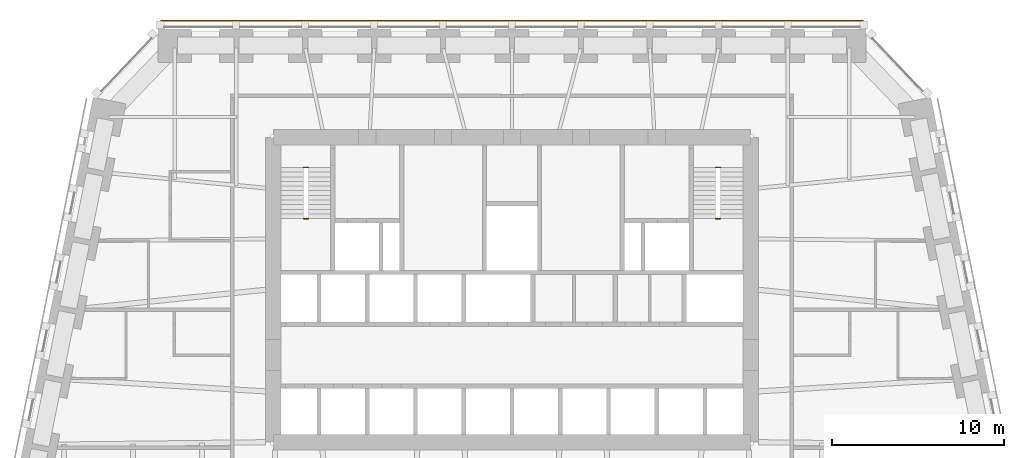
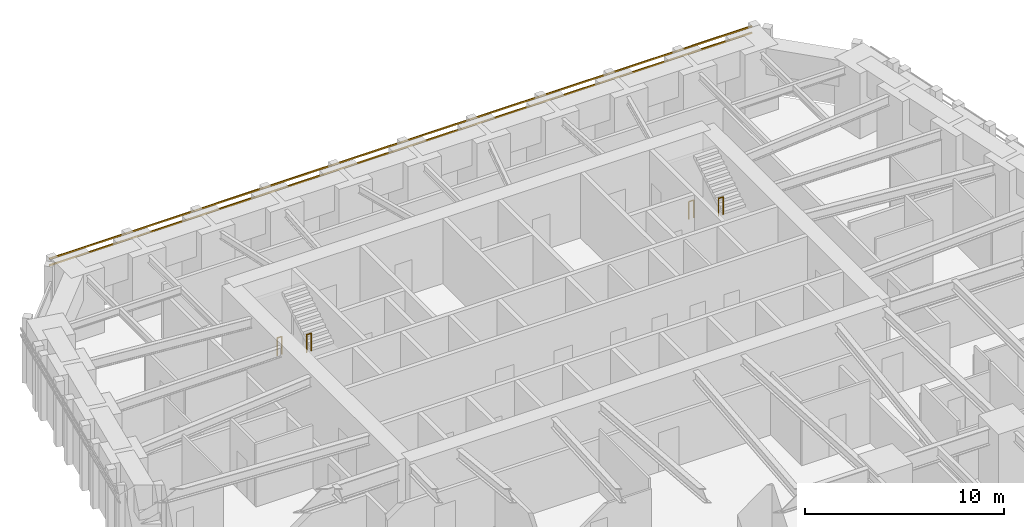
# One storey, part 16 of 16: 4 railings, 2 shading devices.
"""IFC4 building model written with IfcOpenShell, lengths in metres."""

import ifcopenshell
import ifcopenshell.guid

model = None  # the IFC model being written
_history = None  # IfcOwnerHistory: only IFC2X3 demands one
_inside = {}  # id of a spatial element -> (the spatial element, [elements in it])
_under = {}  # id of a project, library or spatial element -> (it, [spatial elements below it])
_declared = {}  # id of a project -> (the project, [libraries it declares])
_typed = {}  # id of a type object -> (the type object, [elements of that type])
_made_of = {}  # id of a material, layer set ... -> (it, [elements and type objects made of it])


def new_model(schema):
    """Start an empty IFC model of exactly this schema.

    Asked for "IFC4X3", IfcOpenShell would pick the latest addendum, in which some entities
    have other attributes; the version numbers below select the first issue.
    IFC2X3 requires an IfcOwnerHistory on every rooted entity: one is made here for all.
    """
    global model, _history
    if schema == "IFC4X3":
        model = ifcopenshell.file(schema_version=(4, 3, 0, 0))
    else:
        model = ifcopenshell.file(schema=schema)
    _inside.clear()
    _under.clear()
    _declared.clear()
    _typed.clear()
    _made_of.clear()
    _history = None
    if model.schema == "IFC2X3":
        org = make("IfcOrganization", Name="unknown")
        user = make(
            "IfcPersonAndOrganization",
            ThePerson=make("IfcPerson", FamilyName="unknown"),
            TheOrganization=org,
        )
        app = make(
            "IfcApplication",
            ApplicationDeveloper=org,
            Version="unknown",
            ApplicationFullName="unknown",
            ApplicationIdentifier="unknown",
        )
        _history = make(
            "IfcOwnerHistory",
            OwningUser=user,
            OwningApplication=app,
            ChangeAction="ADDED",
            CreationDate=0,
        )
    return model


def make(cls, **values):
    """One entity of the class cls with the attributes given. An attribute that is None is left unset."""
    return model.create_entity(
        cls, **{name: value for name, value in values.items() if value is not None}
    )


def rooted(cls, **values):
    """An entity with a GlobalId (a new one), such as an element, a storey or a relation."""
    return make(cls, GlobalId=ifcopenshell.guid.new(), OwnerHistory=_history, **values)


def si_unit(unit_type, name, prefix=None):
    """IfcSIUnit, for example si_unit("LENGTHUNIT", "METRE", prefix="MILLI")."""
    return make("IfcSIUnit", UnitType=unit_type, Prefix=prefix, Name=name)


def assignment(units):
    """IfcUnitAssignment: the units of a project."""
    return None if units is None else make("IfcUnitAssignment", Units=units)


def point(xyz):
    """IfcCartesianPoint."""
    return None if xyz is None else make("IfcCartesianPoint", Coordinates=xyz)


def direction(xyz):
    """IfcDirection."""
    return None if xyz is None else make("IfcDirection", DirectionRatios=xyz)


def frame(location, z_axis=None, x_axis=None):
    """IfcAxis2Placement3D, a coordinate frame: its origin and axes. An axis left out is left unset."""
    return make(
        "IfcAxis2Placement3D",
        Location=point(location),
        Axis=direction(z_axis),
        RefDirection=direction(x_axis),
    )


def frame_2d(location, x_axis=None):
    """IfcAxis2Placement2D, a coordinate frame in the plane: its origin and x axis."""
    return make(
        "IfcAxis2Placement2D", Location=point(location), RefDirection=direction(x_axis)
    )


def origin():
    """The frame at (0, 0, 0) with its axes left unset."""
    return frame((0.0, 0.0, 0.0))


def origin_2d():
    """The frame at (0, 0) in the plane with its x axis left unset."""
    return frame_2d((0.0, 0.0))


def place(relative_to, where):
    """IfcLocalPlacement: puts the frame where relative to a parent placement (None: the world)."""
    return make(
        "IfcLocalPlacement", PlacementRelTo=relative_to, RelativePlacement=where
    )


def context(
    kind, dimensions, precision=None, world=None, true_north=None, identifier=None
):
    """IfcGeometricRepresentationContext, for example the 3D "Model" context."""
    return make(
        "IfcGeometricRepresentationContext",
        ContextIdentifier=identifier,
        ContextType=kind,
        CoordinateSpaceDimension=dimensions,
        Precision=precision,
        WorldCoordinateSystem=world,
        TrueNorth=true_north,
    )


def subcontext(parent, identifier, kind, view, scale=None):
    """IfcGeometricRepresentationSubContext, for example "Body" below "Model"."""
    return make(
        "IfcGeometricRepresentationSubContext",
        ContextIdentifier=identifier,
        ContextType=kind,
        ParentContext=parent,
        TargetScale=scale,
        TargetView=view,
    )


def project(units=None, contexts=None):
    """IfcProject with its units and contexts."""
    return rooted(
        "IfcProject",
        Name="project",
        RepresentationContexts=contexts,
        UnitsInContext=assignment(units),
    )


def spatial(cls, under=None, at=None, **own):
    """A site, building, storey or space (cls), placed at a placement, below another one or the project."""
    s = rooted(cls, ObjectPlacement=at, **own)
    if under is not None:
        _under.setdefault(under.id(), (under, []))[1].append(s)
    return s


def profile(cls, at=None, kind="AREA", **sizes):
    """A parametric profile (cls). Its sizes go by their IFC names, for example OverallWidth=200.0."""
    return make(cls, ProfileType=kind, Position=at, **sizes)


def rectangle(**sizes):
    """IfcRectangleProfileDef."""
    return profile("IfcRectangleProfileDef", **sizes)


def circle(**sizes):
    """IfcCircleProfileDef."""
    return profile("IfcCircleProfileDef", **sizes)


def extrude(swept, where, along, depth):
    """IfcExtrudedAreaSolid: the profile swept, set in the frame where, extruded along a direction by depth."""
    return make(
        "IfcExtrudedAreaSolid",
        SweptArea=swept,
        Position=where,
        ExtrudedDirection=direction(along),
        Depth=depth,
    )


def shape(context_of_items, identifier, shape_type, items):
    """IfcShapeRepresentation: the items that make up one representation, for example the "Body"."""
    return make(
        "IfcShapeRepresentation",
        ContextOfItems=context_of_items,
        RepresentationIdentifier=identifier,
        RepresentationType=shape_type,
        Items=items,
    )


def material(Name=None, Category=None):
    """IfcMaterial."""
    return make("IfcMaterial", Name=Name, Category=Category)


def material_profile(
    of_material, cross_section, Name=None, Category=None, Priority=None
):
    """IfcMaterialProfile: a cross section and its material."""
    return make(
        "IfcMaterialProfile",
        Name=Name,
        Material=of_material,
        Profile=cross_section,
        Priority=Priority,
        Category=Category,
    )


def profile_set(profiles, Name=None, composite=None):
    """IfcMaterialProfileSet."""
    return make(
        "IfcMaterialProfileSet",
        Name=Name,
        MaterialProfiles=profiles,
        CompositeProfile=composite,
    )


def made_of(thing, what):
    """Note that an element or type object is made of a material, layer set ...; save() writes the relation."""
    if what is not None:
        _made_of.setdefault(what.id(), (what, []))[1].append(thing)
    return thing


def type_object(cls, material=None, **own):
    """A type object (cls), such as IfcWallType, which elements share."""
    return made_of(rooted(cls, **own), material)


def element(
    cls,
    number,
    at=None,
    inside=None,
    cuts=None,
    type_object=None,
    material=None,
    context=None,
    identifier="Body",
    shape_type=None,
    held_by="IfcProductDefinitionShape",
    body=None,
    shapes=None,
    **own,
):
    """One element of the class cls, such as IfcWall. Its Tag is "e" and its number.

    at: its placement. inside: the storey or other place that contains it. cuts: it is an
    opening in that element (IfcRelVoidsElement). A single representation is given by context,
    identifier, shape_type and body (its items); several are given by shapes. held_by: the class
    of the entity that holds the representations. save() writes the other relations.
    """
    e = rooted(cls, Tag="e%d" % number, ObjectPlacement=at, **own)
    if body is not None:
        shapes = [shape(context, identifier, shape_type, body)]
    if shapes is not None:
        e.Representation = make(held_by, Representations=shapes)
    if inside is not None:
        _inside.setdefault(inside.id(), (inside, []))[1].append(e)
    if cuts is not None:
        rooted(
            "IfcRelVoidsElement", RelatingBuildingElement=cuts, RelatedOpeningElement=e
        )
    if type_object is not None:
        _typed.setdefault(type_object.id(), (type_object, []))[1].append(e)
    return made_of(e, material)


def aggregate(whole, parts):
    """IfcRelAggregates: a whole, such as a stair, and the parts it consists of."""
    return rooted("IfcRelAggregates", RelatingObject=whole, RelatedObjects=parts)


def save(model, path):
    """Write the relations noted so far, then the file.

    IfcRelAggregates (storeys below a building ...), IfcRelContainedInSpatialStructure (elements
    in a storey), IfcRelDefinesByType, IfcRelAssociatesMaterial and IfcRelDeclares: one each for
    every whole, place, type object, material and project.
    """
    for whole, parts in _under.values():
        aggregate(whole, parts)
    for where, things in _inside.values():
        rooted(
            "IfcRelContainedInSpatialStructure",
            RelatedElements=things,
            RelatingStructure=where,
        )
    for kind, things in _typed.values():
        rooted("IfcRelDefinesByType", RelatedObjects=things, RelatingType=kind)
    for what, things in _made_of.values():
        rooted("IfcRelAssociatesMaterial", RelatedObjects=things, RelatingMaterial=what)
    for by, libraries in _declared.values():
        rooted("IfcRelDeclares", RelatingContext=by, RelatedDefinitions=libraries)
    model.write(path)


model = new_model("IFC4")

# Units and contexts
model_context = context("Model", 3, precision=1e-05, world=origin(), true_north=direction((0.0, 1.0)))
body_context = subcontext(model_context, "Body", "Model", "MODEL_VIEW")
ifc_project = project(units=[si_unit("LENGTHUNIT", "METRE"), si_unit("AREAUNIT", "SQUARE_METRE"), si_unit("VOLUMEUNIT", "CUBIC_METRE"), si_unit("PLANEANGLEUNIT", "RADIAN"), si_unit("MASSUNIT", "GRAM", prefix="KILO")], contexts=[model_context])

# Site, building, storey
site_placement = place(None, origin())
site = spatial("IfcSite", under=ifc_project, at=site_placement, CompositionType="ELEMENT")
building_placement = place(site_placement, origin())
building = spatial("IfcBuilding", under=site, at=building_placement, Name="Isbrekke Arena Tower", CompositionType="ELEMENT")
storey_placement = place(building_placement, frame((0.0, 0.0, 40.0)))
storey = spatial("IfcBuildingStorey", under=building, at=storey_placement, Name="L07", CompositionType="ELEMENT", Elevation=40.0)

# Shading devices
ifc_material_1 = material(Name="Terracotta", Category="masonry")
ifc_material_profile = material_profile(ifc_material_1, rectangle(XDim=0.06005859375, YDim=0.06005859375, at=origin_2d()), Name="BAGUETTE 60X60")
ifc_profile_set = profile_set([ifc_material_profile], Name="Terracotta")
shading_device_type = type_object("IfcShadingDeviceType", Name="BG1 TERRACOTTA BAGUETTE 60 x 60", PredefinedType="USERDEFINED", material=ifc_profile_set)
for number, where, z_axis, x_axis, name in (
    (1, (20.39990234375, 30.6298828125, 3.280029296875), (-1.0, 0.0, 0.0), (0.0, -1.0, 0.0), "BG1 terracotta baguette N1 L07"),
    (2, (20.39990234375, 30.6298828125, 3.679931640625), (-1.0, 0.0, 0.0), (0.0, -1.0, 0.0), "BG1 terracotta baguette N2 L07"),
):
    element("IfcShadingDevice", number, at=place(storey_placement, frame(where, z_axis=z_axis, x_axis=x_axis)), inside=storey, type_object=shading_device_type, Name=name, ObjectType="TERRACOTTA BAGUETTE", PredefinedType="USERDEFINED", context=body_context, shape_type="SweptSolid", body=[
        extrude(rectangle(XDim=0.06005859375, YDim=0.06005859375, at=origin_2d()), origin(), (0.0, 0.0, 1.0), 40.7998046875),
    ])

# Railings
ifc_material_2 = material(Name="Steel stair guard, vertical bars, steel handrail", Category="steel")
railing_type = type_object("IfcRailingType", Name="GR3 STAIR WELL GUARD 1100", PredefinedType="GUARDRAIL", material=ifc_material_2)
for number, where, name in (
    (3, (-12.10009765625, 22.10009765625, 0.0), "GR3 stair well guard ST1 L07"),
    (4, (-12.10009765625, 19.1298828125, 2.0), "GR3 stair well guard ST1 L07"),
    (5, (11.824951171875, 22.10009765625, 0.0), "GR3 stair well guard ST2 L07"),
    (6, (11.824951171875, 19.1298828125, 2.0), "GR3 stair well guard ST2 L07"),
):
    element("IfcRailing", number, at=place(storey_placement, frame(where)), inside=storey, type_object=railing_type, Name=name, PredefinedType="GUARDRAIL", context=body_context, shape_type="SweptSolid", body=[
        extrude(circle(Radius=0.02392578125, at=origin_2d()), frame((0.0, 0.0, 1.076171875), z_axis=(1.0, 0.0, 0.0), x_axis=(0.0, 1.0, 0.0)), (0.0, 0.0, 1.0), 0.275146484375),
        extrude(circle(Radius=0.02099609375, at=origin_2d()), origin(), (0.0, 0.0, 1.0), 1.052001953125),
        extrude(circle(Radius=0.02099609375, at=origin_2d()), frame((0.275146484375, 0.0, 0.0)), (0.0, 0.0, 1.0), 1.052001953125),
    ])

save(model, "model.ifc")
